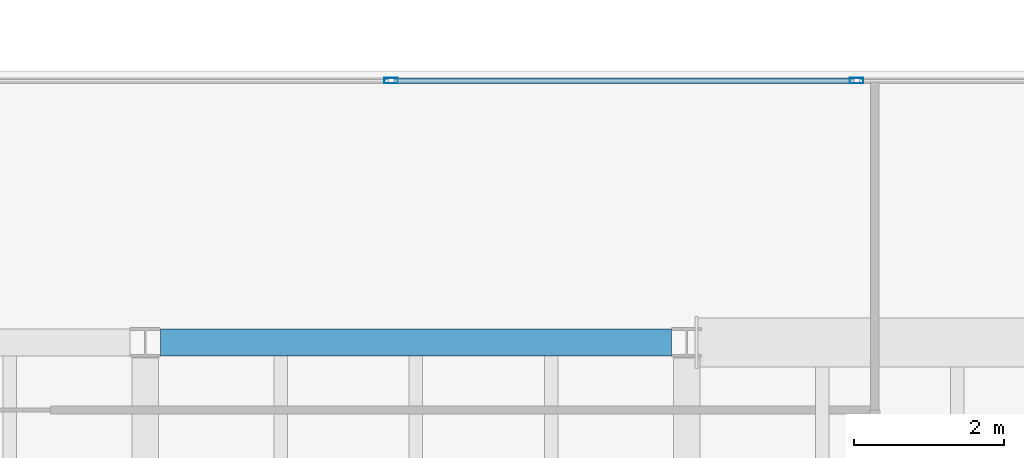
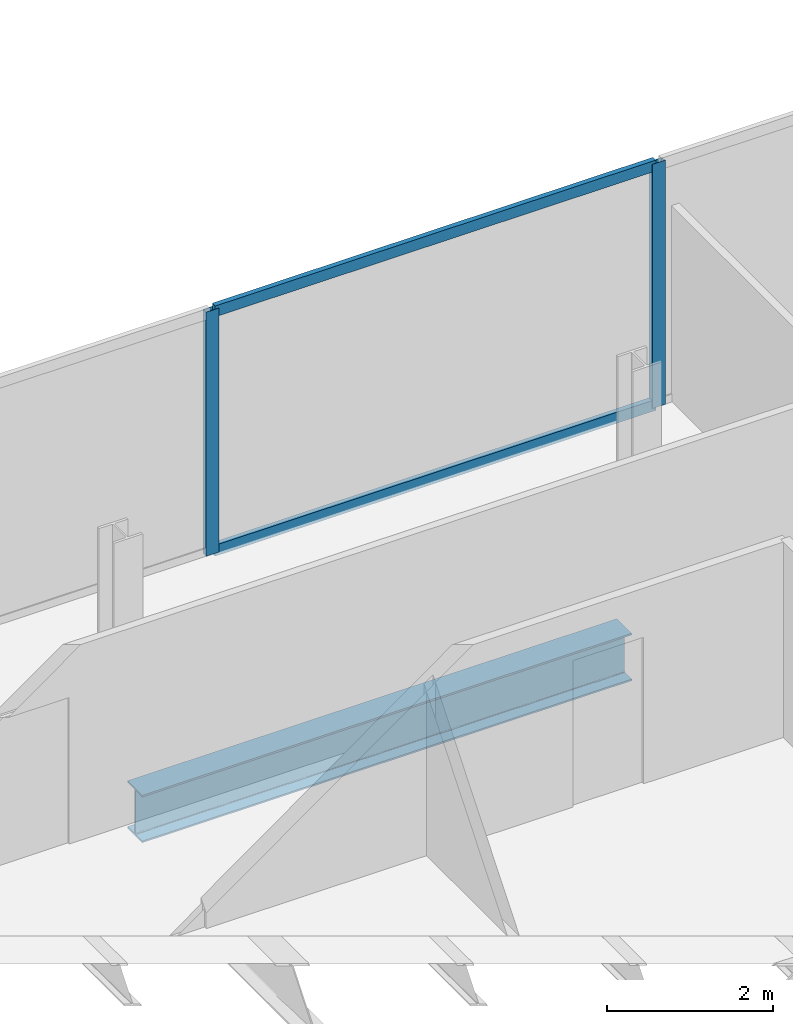
# One storey, part 14 of 23: 4 members, 1 beam, 1 element without a shape of its own.
"""IFC4 building model written with IfcOpenShell, lengths in metres."""

from ifc_helpers import new_model, si_unit, direction, frame, origin, origin_2d, place, context, subcontext, project, spatial, hollow_rectangle, i_section, extrude, material, material_profile, profile_set, type_object, element, aggregate, save


model = new_model("IFC4")

# Units and contexts
model_context = context("Model", 3, precision=1e-05, world=origin(), true_north=direction((0.0, 1.0)))
body_context = subcontext(model_context, "Body", "Model", "MODEL_VIEW")
ifc_project = project(units=[si_unit("LENGTHUNIT", "METRE"), si_unit("AREAUNIT", "SQUARE_METRE"), si_unit("VOLUMEUNIT", "CUBIC_METRE"), si_unit("PLANEANGLEUNIT", "RADIAN"), si_unit("MASSUNIT", "GRAM", prefix="KILO")], contexts=[model_context])

# Site, building, storey
site_placement = place(None, origin())
site = spatial("IfcSite", under=ifc_project, at=site_placement, CompositionType="ELEMENT")
building_placement = place(site_placement, origin())
building = spatial("IfcBuilding", under=site, at=building_placement, Name="Cobrela Telecom Tower", CompositionType="ELEMENT")
storey_placement = place(building_placement, frame((0.0, 0.0, 159.949951171875)))
storey = spatial("IfcBuildingStorey", under=building, at=storey_placement, Name="L40", CompositionType="ELEMENT", Elevation=159.949951171875)

# Beam
ifc_material_1 = material(Name="Steel ASTM A992 Grade 50", Category="steel")
ifc_material_profile_1 = material_profile(ifc_material_1, i_section(OverallWidth=0.35595703125, OverallDepth=0.696044921875, WebThickness=0.015380859375, FlangeThickness=0.024658203125, FilletRadius=0.01806640625, at=origin_2d()), Name="W27X146")
ifc_profile_set_1 = profile_set([ifc_material_profile_1], Name="Steel ASTM A992 Grade 50")
beam_type = type_object("IfcBeamType", Name="BM-GIRD-05", PredefinedType="USERDEFINED", material=ifc_profile_set_1)
beam_placement = place(storey_placement, frame((29.00439453125, 21.60009765625, -0.617919921875), z_axis=(1.0, 0.0, 0.0), x_axis=(0.0, 1.0, 0.0)))
element("IfcBeam", 1, at=beam_placement, inside=storey, type_object=beam_type, Name="L40 Primary Girder X18", ObjectType="GIRDER", PredefinedType="USERDEFINED", context=body_context, shape_type="SweptSolid", body=[
    extrude(i_section(OverallWidth=0.35595703125, OverallDepth=0.696044921875, WebThickness=0.015380859375, FlangeThickness=0.024658203125, FilletRadius=0.01806640625, at=origin_2d()), origin(), (0.0, 0.0, 1.0), 6.791015625),
])

# Curtain wall, members
ifc_material_2 = material(Name="Anodized Bronze Aluminium 6063-T6", Category="aluminium")
curtain_wall_type = type_object("IfcCurtainWallType", Name="CW-SYS-TEL", PredefinedType="USERDEFINED", material=ifc_material_2)
curtain_wall_placement = place(storey_placement, origin())
curtain_wall = element("IfcCurtainWall", 2, at=curtain_wall_placement, inside=storey, type_object=curtain_wall_type, Name="L40 Unitised Bronze Curtain Wall 11", ObjectType="UNITISED CURTAIN WALL", PredefinedType="USERDEFINED")
ifc_material_profile_2 = material_profile(ifc_material_2, hollow_rectangle(XDim=0.074951171875, YDim=0.179931640625, WallThickness=0.00390625, at=origin_2d()), Name="ALU 75x180x4")
ifc_profile_set_2 = profile_set([ifc_material_profile_2], Name="Anodized Bronze Aluminium 6063-T6")
member_type_1 = type_object("IfcMemberType", Name="CW-SYS-TEL-MUL", PredefinedType="MULLION", material=ifc_profile_set_2)
member_1_placement = place(storey_placement, frame((32.070068359375, 25.080078125, 0.0), z_axis=(0.0, 0.0, 1.0), x_axis=(0.0, 1.0, 0.0)))
member_1 = element("IfcMember", 3, at=member_1_placement, type_object=member_type_1, Name="CW-TEL mullion 2", PredefinedType="MULLION", context=body_context, shape_type="SweptSolid", body=[
    extrude(hollow_rectangle(XDim=0.074951171875, YDim=0.179931640625, WallThickness=0.00390625, at=origin_2d()), origin(), (0.0, 0.0, 1.0), 3.580078125),
])
member_2_placement = place(storey_placement, frame((38.260009765625, 25.080078125, 0.0), z_axis=(0.0, 0.0, 1.0), x_axis=(0.0, 1.0, 0.0)))
member_2 = element("IfcMember", 4, at=member_2_placement, type_object=member_type_1, Name="CW-TEL mullion 3", PredefinedType="MULLION", context=body_context, shape_type="SweptSolid", body=[
    extrude(hollow_rectangle(XDim=0.074951171875, YDim=0.179931640625, WallThickness=0.00390625, at=origin_2d()), origin(), (0.0, 0.0, 1.0), 3.580078125),
])
ifc_material_profile_3 = material_profile(ifc_material_2, hollow_rectangle(XDim=0.070068359375, YDim=0.159912109375, WallThickness=0.00390625, at=origin_2d()), Name="ALU 70x160x4")
ifc_profile_set_3 = profile_set([ifc_material_profile_3], Name="Anodized Bronze Aluminium 6063-T6")
member_type_2 = type_object("IfcMemberType", Name="CW-SYS-TEL-TRN", PredefinedType="USERDEFINED", material=ifc_profile_set_3)
member_3_placement = place(storey_placement, frame((32.107421875, 25.080078125, 0.03515625), z_axis=(1.0, 0.0, 0.0), x_axis=(0.0, 1.0, 0.0)))
member_3 = element("IfcMember", 5, at=member_3_placement, type_object=member_type_2, Name="CW-TEL transom 2.1", ObjectType="TRANSOM", PredefinedType="USERDEFINED", context=body_context, shape_type="SweptSolid", body=[
    extrude(hollow_rectangle(XDim=0.070068359375, YDim=0.159912109375, WallThickness=0.00390625, at=origin_2d()), origin(), (0.0, 0.0, 1.0), 6.114990234375),
])
member_4_placement = place(storey_placement, frame((32.107421875, 25.080078125, 3.545166015625), z_axis=(1.0, 0.0, 0.0), x_axis=(0.0, 1.0, 0.0)))
member_4 = element("IfcMember", 6, at=member_4_placement, type_object=member_type_2, Name="CW-TEL transom 2.2", ObjectType="TRANSOM", PredefinedType="USERDEFINED", context=body_context, shape_type="SweptSolid", body=[
    extrude(hollow_rectangle(XDim=0.070068359375, YDim=0.159912109375, WallThickness=0.00390625, at=origin_2d()), origin(), (0.0, 0.0, 1.0), 6.114990234375),
])
aggregate(curtain_wall, [member_1, member_2, member_3, member_4])

save(model, "model.ifc")
